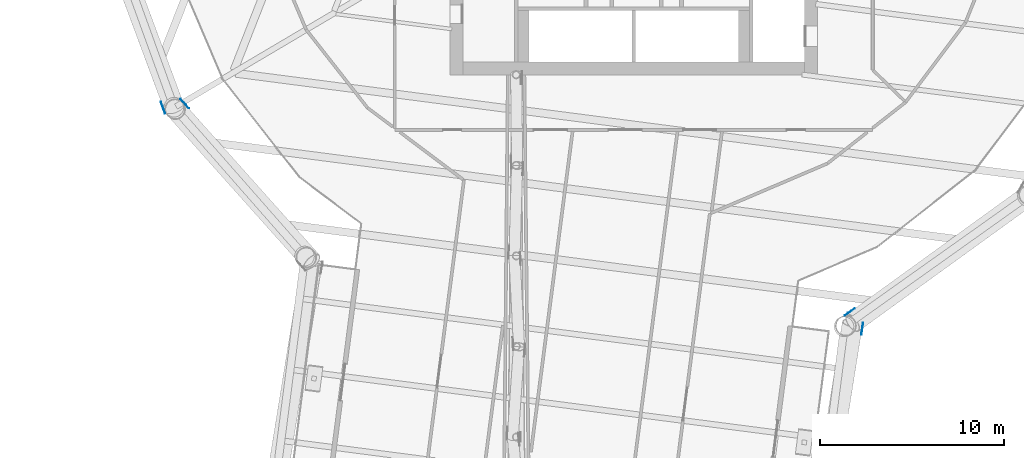
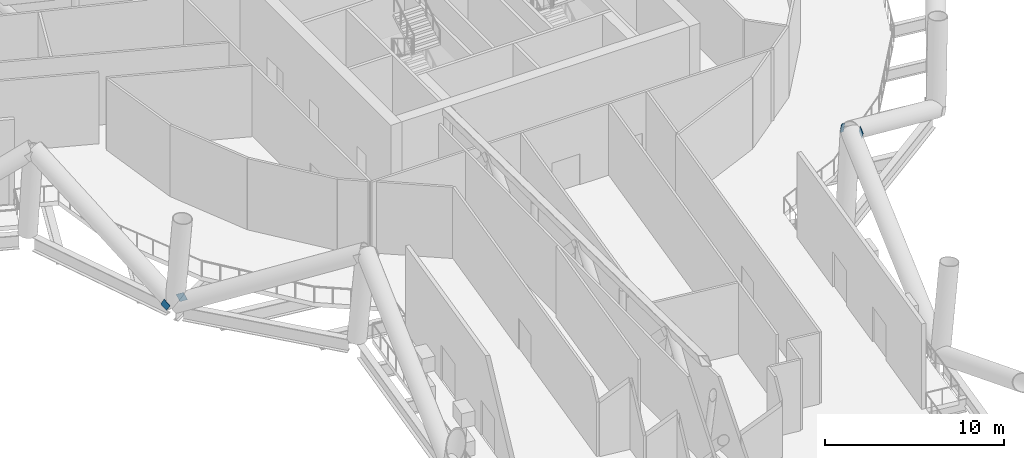
# One storey, part 21 of 36: 4 discrete accessories.
"""IFC4 building model written with IfcOpenShell, lengths in metres."""

from ifc_helpers import new_model, si_unit, direction, frame, origin, origin_2d, place, context, subcontext, project, spatial, rectangle, extrude, material, material_profile, profile_set, type_object, element, save


model = new_model("IFC4")

# Units and contexts
model_context = context("Model", 3, precision=1e-05, world=origin(), true_north=direction((0.0, 1.0)))
body_context = subcontext(model_context, "Body", "Model", "MODEL_VIEW")
ifc_project = project(units=[si_unit("LENGTHUNIT", "METRE"), si_unit("AREAUNIT", "SQUARE_METRE"), si_unit("VOLUMEUNIT", "CUBIC_METRE"), si_unit("PLANEANGLEUNIT", "RADIAN"), si_unit("MASSUNIT", "GRAM", prefix="KILO")], contexts=[model_context])

# Site, building, storey
site_placement = place(None, origin())
site = spatial("IfcSite", under=ifc_project, at=site_placement, CompositionType="ELEMENT")
building_placement = place(site_placement, origin())
building = spatial("IfcBuilding", under=site, at=building_placement, Name="Tarsis Ring Headquarters", CompositionType="ELEMENT")
storey_placement = place(building_placement, frame((0.0, 0.0, 194.39990234375)))
storey = spatial("IfcBuildingStorey", under=building, at=storey_placement, Name="L45", CompositionType="ELEMENT", Elevation=194.39990234375)

# Discrete accessories
ifc_material = material(Name="Structural steel S355", Category="steel")
ifc_material_profile = material_profile(ifc_material, rectangle(XDim=0.02490234375, YDim=0.5, at=origin_2d()), Name="PL 25x500")
ifc_profile_set = profile_set([ifc_material_profile], Name="Structural steel S355")
discrete_accessory_type = type_object("IfcDiscreteAccessoryType", Name="Gusset plate Belt truss 25", PredefinedType="BRACKET", material=ifc_profile_set)
for number, where, z_axis, x_axis, name in (
    (1, (-24.5771484375, -14.40625, 0.0), (0.587770681292, -0.658068835866, 0.470607090337), (0.745819847512, 0.666147697629, 0.0), "Gusset plate GP4"),
    (2, (12.46728515625, -26.588134765625, 6.0), (-0.145508766533, -0.909185648605, -0.390139276711), (0.987434012538, -0.158031866668, 0.0), "Gusset plate GP4"),
    (3, (11.568115234375, -26.034912109375, 6.0), (0.722099279425, 0.521923008591, -0.45405837043), (-0.585790624478, 0.810462426195, 0.0), "Gusset plate GP4"),
):
    element("IfcDiscreteAccessory", number, at=place(storey_placement, frame(where, z_axis=z_axis, x_axis=x_axis)), inside=storey, type_object=discrete_accessory_type, Name=name, PredefinedType="BRACKET", context=body_context, shape_type="SweptSolid", body=[
        extrude(rectangle(XDim=0.02490234375, YDim=0.5, at=origin_2d()), origin(), (0.0, 0.0, 1.0), 0.5),
    ])
discrete_accessory_placement = place(storey_placement, frame((-25.538818359375, -14.986083984375, 0.0), z_axis=(-0.300693190693, 0.809821434026, 0.503758722071), x_axis=(-0.937462154823, -0.348087213605, 0.0)))
element("IfcDiscreteAccessory", 4, at=discrete_accessory_placement, inside=storey, type_object=discrete_accessory_type, Name="Gusset plate GP4", PredefinedType="BRACKET", context=body_context, shape_type="SweptSolid", body=[
    extrude(rectangle(XDim=0.02490234375, YDim=0.5, at=origin_2d()), origin(), (0.0, 0.0, 1.0), 0.500244140625),
])

save(model, "model.ifc")
